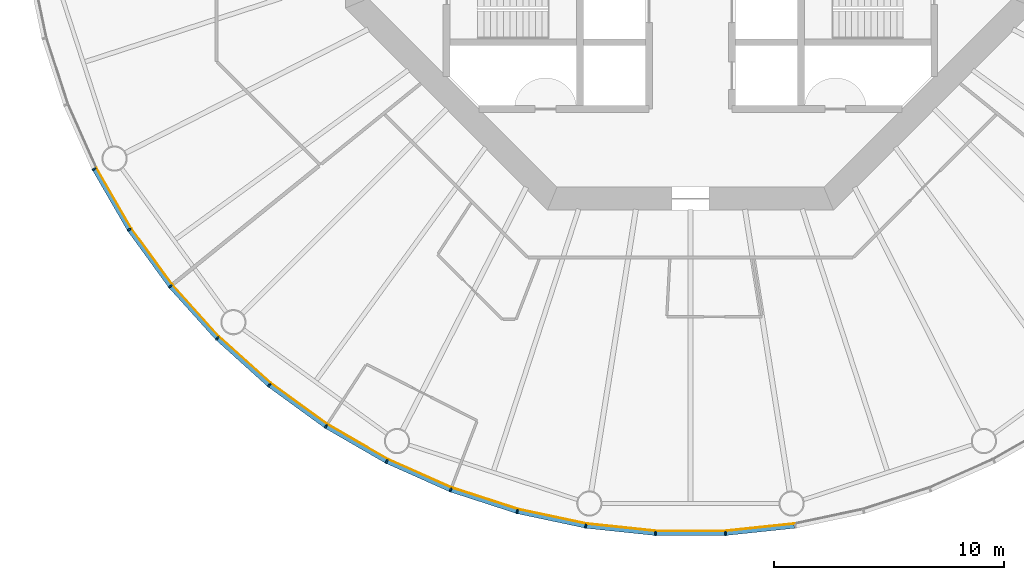
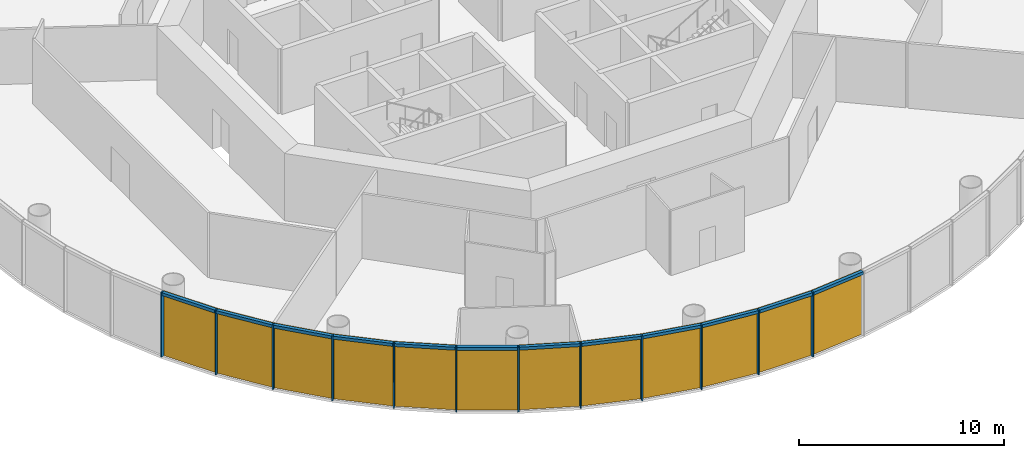
# One storey, part 6 of 12: 24 members, 4 curtain walls.
"""IFC4 building model written with IfcOpenShell, lengths in metres."""

from ifc_helpers import new_model, si_unit, direction, frame, origin, origin_2d, place, context, subcontext, project, spatial, polyline, rectangle, outline, extrude, material, layer, layer_set, material_profile, profile_set, type_object, element, aggregate, save


model = new_model("IFC4")

# Units and contexts
model_context = context("Model", 3, precision=1e-05, world=origin(), true_north=direction((0.0, 1.0)))
body_context = subcontext(model_context, "Body", "Model", "MODEL_VIEW")
ifc_project = project(units=[si_unit("LENGTHUNIT", "METRE"), si_unit("AREAUNIT", "SQUARE_METRE"), si_unit("VOLUMEUNIT", "CUBIC_METRE"), si_unit("PLANEANGLEUNIT", "RADIAN"), si_unit("MASSUNIT", "GRAM", prefix="KILO")], contexts=[model_context])

# Member
ifc_material_1 = material(Name="Anodised aluminium", Category="aluminium")
ifc_material_profile_1 = material_profile(ifc_material_1, rectangle(XDim=0.06494140625, YDim=0.18505859375, at=origin_2d()), Name="Mullion 65 x 185 mm anodised aluminium")
ifc_profile_set_1 = profile_set([ifc_material_profile_1], Name="Anodised aluminium")
member_type_1 = type_object("IfcMemberType", Name="Mullion 65 x 185 mm anodised aluminium", PredefinedType="MULLION", material=ifc_profile_set_1)
site_placement = place(None, origin())
building_placement = place(site_placement, origin())
storey_placement = place(building_placement, frame((0.0, 0.0, 192.0)))
member_1_placement = place(storey_placement, frame((64.078369140625, 66.792236328125, 0.0), z_axis=(0.0, 0.0, 1.0), x_axis=(0.45399049974, -0.891006524188, 0.0)))
member_1 = element("IfcMember", 1, at=member_1_placement, type_object=member_type_1, Name="MULLION L44-33", PredefinedType="MULLION", context=body_context, shape_type="SweptSolid", body=[
    extrude(rectangle(XDim=0.06494140625, YDim=0.18505859375, at=origin_2d()), origin(), (0.0, 0.0, 1.0), 3.85009765625),
])

member_2_placement = place(storey_placement, frame((65.60107421875, 64.155029296875, 0.0), z_axis=(0.0, 0.0, 1.0), x_axis=(0.544639035015, -0.838670567945, 0.0)))
member_2 = element("IfcMember", 2, at=member_2_placement, type_object=member_type_1, Name="MULLION L44-34", PredefinedType="MULLION", context=body_context, shape_type="SweptSolid", body=[
    extrude(rectangle(XDim=0.06494140625, YDim=0.18505859375, at=origin_2d()), origin(), (0.0, 0.0, 1.0), 3.85009765625),
])

member_3_placement = place(storey_placement, frame((67.390869140625, 61.69140625, 0.0), z_axis=(0.0, 0.0, 1.0), x_axis=(0.62932039105, -0.777145961457, 0.0)))
member_3 = element("IfcMember", 3, at=member_3_placement, type_object=member_type_1, Name="MULLION L44-35", PredefinedType="MULLION", context=body_context, shape_type="SweptSolid", body=[
    extrude(rectangle(XDim=0.06494140625, YDim=0.18505859375, at=origin_2d()), origin(), (0.0, 0.0, 1.0), 3.85009765625),
])

member_4_placement = place(storey_placement, frame((69.428466796875, 59.428466796875, 0.0), z_axis=(0.0, 0.0, 1.0), x_axis=(0.707106781187, -0.707106781187, 0.0)))
member_4 = element("IfcMember", 4, at=member_4_placement, type_object=member_type_1, Name="MULLION L44-36", PredefinedType="MULLION", context=body_context, shape_type="SweptSolid", body=[
    extrude(rectangle(XDim=0.06494140625, YDim=0.18505859375, at=origin_2d()), origin(), (0.0, 0.0, 1.0), 3.85009765625),
])

member_5_placement = place(storey_placement, frame((71.69140625, 57.390869140625, 0.0), z_axis=(0.0, 0.0, 1.0), x_axis=(0.777145961457, -0.62932039105, 0.0)))
member_5 = element("IfcMember", 5, at=member_5_placement, type_object=member_type_1, Name="MULLION L44-37", PredefinedType="MULLION", context=body_context, shape_type="SweptSolid", body=[
    extrude(rectangle(XDim=0.06494140625, YDim=0.18505859375, at=origin_2d()), origin(), (0.0, 0.0, 1.0), 3.85009765625),
])

member_6_placement = place(storey_placement, frame((74.155029296875, 55.60107421875, 0.0), z_axis=(0.0, 0.0, 1.0), x_axis=(0.838670567945, -0.544639035015, 0.0)))
member_6 = element("IfcMember", 6, at=member_6_placement, type_object=member_type_1, Name="MULLION L44-38", PredefinedType="MULLION", context=body_context, shape_type="SweptSolid", body=[
    extrude(rectangle(XDim=0.06494140625, YDim=0.18505859375, at=origin_2d()), origin(), (0.0, 0.0, 1.0), 3.85009765625),
])

member_7_placement = place(storey_placement, frame((76.792236328125, 54.078369140625, 0.0), z_axis=(0.0, 0.0, 1.0), x_axis=(0.891006524188, -0.45399049974, 0.0)))
member_7 = element("IfcMember", 7, at=member_7_placement, type_object=member_type_1, Name="MULLION L44-39", PredefinedType="MULLION", context=body_context, shape_type="SweptSolid", body=[
    extrude(rectangle(XDim=0.06494140625, YDim=0.18505859375, at=origin_2d()), origin(), (0.0, 0.0, 1.0), 3.85009765625),
])

member_8_placement = place(storey_placement, frame((79.57421875, 52.83984375, 0.0), z_axis=(0.0, 0.0, 1.0), x_axis=(0.933580426497, -0.358367949545, 0.0)))
member_8 = element("IfcMember", 8, at=member_8_placement, type_object=member_type_1, Name="MULLION L44-40", PredefinedType="MULLION", context=body_context, shape_type="SweptSolid", body=[
    extrude(rectangle(XDim=0.06494140625, YDim=0.18505859375, at=origin_2d()), origin(), (0.0, 0.0, 1.0), 3.85009765625),
])

member_9_placement = place(storey_placement, frame((82.47021484375, 51.898681640625, 0.0), z_axis=(0.0, 0.0, 1.0), x_axis=(0.965925826289, -0.258819045103, 0.0)))
member_9 = element("IfcMember", 9, at=member_9_placement, type_object=member_type_1, Name="MULLION L44-41", PredefinedType="MULLION", context=body_context, shape_type="SweptSolid", body=[
    extrude(rectangle(XDim=0.06494140625, YDim=0.18505859375, at=origin_2d()), origin(), (0.0, 0.0, 1.0), 3.85009765625),
])

member_10_placement = place(storey_placement, frame((85.448974609375, 51.265625, 0.0), z_axis=(0.0, 0.0, 1.0), x_axis=(0.987688340595, -0.15643446504, 0.0)))
member_10 = element("IfcMember", 10, at=member_10_placement, type_object=member_type_1, Name="MULLION L44-42", PredefinedType="MULLION", context=body_context, shape_type="SweptSolid", body=[
    extrude(rectangle(XDim=0.06494140625, YDim=0.18505859375, at=origin_2d()), origin(), (0.0, 0.0, 1.0), 3.85009765625),
])

member_11_placement = place(storey_placement, frame((88.477294921875, 50.947265625, 0.0), z_axis=(0.0, 0.0, 1.0), x_axis=(0.998629534755, -0.052335956243, 0.0)))
member_11 = element("IfcMember", 11, at=member_11_placement, type_object=member_type_1, Name="MULLION L44-43", PredefinedType="MULLION", context=body_context, shape_type="SweptSolid", body=[
    extrude(rectangle(XDim=0.06494140625, YDim=0.18505859375, at=origin_2d()), origin(), (0.0, 0.0, 1.0), 3.85009765625),
])

member_12_placement = place(storey_placement, frame((91.522705078125, 50.947265625, 0.0), z_axis=(0.0, 0.0, 1.0), x_axis=(0.998629534755, 0.052335956243, 0.0)))
member_12 = element("IfcMember", 12, at=member_12_placement, type_object=member_type_1, Name="MULLION L44-44", PredefinedType="MULLION", context=body_context, shape_type="SweptSolid", body=[
    extrude(rectangle(XDim=0.06494140625, YDim=0.18505859375, at=origin_2d()), origin(), (0.0, 0.0, 1.0), 3.85009765625),
])

ifc_material_2 = material(Name="Anodised aluminium", Category="aluminium")
ifc_material_profile_2 = material_profile(ifc_material_2, rectangle(XDim=0.18505859375, YDim=0.175048828125, at=origin_2d()), Name="Transom 175 x 185 mm anodised aluminium")
ifc_profile_set_2 = profile_set([ifc_material_profile_2], Name="Anodised aluminium")
member_type_2 = type_object("IfcMemberType", Name="Transom 175 x 185 mm anodised aluminium", PredefinedType="USERDEFINED", material=ifc_profile_set_2)
member_13_placement = place(storey_placement, frame((64.096923828125, 66.759765625, 3.762451171875), z_axis=(0.500028367561, -0.866009025146, 0.0), x_axis=(0.866009025146, 0.500028367561, 0.0)))
member_13 = element("IfcMember", 13, at=member_13_placement, type_object=member_type_2, Name="TRANSOM L44-33", ObjectType="TRANSOM", PredefinedType="USERDEFINED", context=body_context, shape_type="SweptSolid", body=[
    extrude(rectangle(XDim=0.18505859375, YDim=0.175048828125, at=origin_2d()), origin(), (0.0, 0.0, 1.0), 2.970458984375),
])

member_14_placement = place(storey_placement, frame((65.622802734375, 64.124755859375, 3.762451171875), z_axis=(0.587819781808, -0.808991906087, 0.0), x_axis=(0.808991906087, 0.587819781808, 0.0)))
member_14 = element("IfcMember", 14, at=member_14_placement, type_object=member_type_2, Name="TRANSOM L44-34", ObjectType="TRANSOM", PredefinedType="USERDEFINED", context=body_context, shape_type="SweptSolid", body=[
    extrude(rectangle(XDim=0.18505859375, YDim=0.175048828125, at=origin_2d()), origin(), (0.0, 0.0, 1.0), 2.970458984375),
])

member_15_placement = place(storey_placement, frame((67.415771484375, 61.66357421875, 3.762451171875), z_axis=(0.669110027395, -0.743163354343, 0.0), x_axis=(0.743163354343, 0.669110027395, 0.0)))
member_15 = element("IfcMember", 15, at=member_15_placement, type_object=member_type_2, Name="TRANSOM L44-35", ObjectType="TRANSOM", PredefinedType="USERDEFINED", context=body_context, shape_type="SweptSolid", body=[
    extrude(rectangle(XDim=0.18505859375, YDim=0.175048828125, at=origin_2d()), origin(), (0.0, 0.0, 1.0), 2.970458984375),
])

member_16_placement = place(storey_placement, frame((69.4560546875, 59.4033203125, 3.762451171875), z_axis=(0.743163354343, -0.669110027395, 0.0), x_axis=(0.669110027395, 0.743163354343, 0.0)))
member_16 = element("IfcMember", 16, at=member_16_placement, type_object=member_type_2, Name="TRANSOM L44-36", ObjectType="TRANSOM", PredefinedType="USERDEFINED", context=body_context, shape_type="SweptSolid", body=[
    extrude(rectangle(XDim=0.18505859375, YDim=0.175048828125, at=origin_2d()), origin(), (0.0, 0.0, 1.0), 2.970458984375),
])

member_17_placement = place(storey_placement, frame((71.7216796875, 57.368896484375, 3.762451171875), z_axis=(0.808991906087, -0.587819781808, 0.0), x_axis=(0.587819781808, 0.808991906087, 0.0)))
member_17 = element("IfcMember", 17, at=member_17_placement, type_object=member_type_2, Name="TRANSOM L44-37", ObjectType="TRANSOM", PredefinedType="USERDEFINED", context=body_context, shape_type="SweptSolid", body=[
    extrude(rectangle(XDim=0.18505859375, YDim=0.175048828125, at=origin_2d()), origin(), (0.0, 0.0, 1.0), 2.970458984375),
])

member_18_placement = place(storey_placement, frame((74.187255859375, 55.582275390625, 3.762451171875), z_axis=(0.866009025146, -0.500028367561, 0.0), x_axis=(0.500028367561, 0.866009025146, 0.0)))
member_18 = element("IfcMember", 18, at=member_18_placement, type_object=member_type_2, Name="TRANSOM L44-38", ObjectType="TRANSOM", PredefinedType="USERDEFINED", context=body_context, shape_type="SweptSolid", body=[
    extrude(rectangle(XDim=0.18505859375, YDim=0.175048828125, at=origin_2d()), origin(), (0.0, 0.0, 1.0), 2.970458984375),
])

member_19_placement = place(storey_placement, frame((76.826416015625, 54.06298828125, 3.762451171875), z_axis=(0.913567348806, -0.406687471156, 0.0), x_axis=(0.406687471156, 0.913567348806, 0.0)))
member_19 = element("IfcMember", 19, at=member_19_placement, type_object=member_type_2, Name="TRANSOM L44-39", ObjectType="TRANSOM", PredefinedType="USERDEFINED", context=body_context, shape_type="SweptSolid", body=[
    extrude(rectangle(XDim=0.18505859375, YDim=0.175048828125, at=origin_2d()), origin(), (0.0, 0.0, 1.0), 2.970458984375),
])

member_20_placement = place(storey_placement, frame((79.609619140625, 52.828125, 3.762451171875), z_axis=(0.951055809184, -0.30901917063, 0.0), x_axis=(0.30901917063, 0.951055809184, 0.0)))
member_20 = element("IfcMember", 20, at=member_20_placement, type_object=member_type_2, Name="TRANSOM L44-40", ObjectType="TRANSOM", PredefinedType="USERDEFINED", context=body_context, shape_type="SweptSolid", body=[
    extrude(rectangle(XDim=0.18505859375, YDim=0.175048828125, at=origin_2d()), origin(), (0.0, 0.0, 1.0), 2.970703125),
])

member_21_placement = place(storey_placement, frame((82.5068359375, 51.890869140625, 3.762451171875), z_axis=(0.97815822425, -0.207861704825, 0.0), x_axis=(0.207861704825, 0.97815822425, 0.0)))
member_21 = element("IfcMember", 21, at=member_21_placement, type_object=member_type_2, Name="TRANSOM L44-41", ObjectType="TRANSOM", PredefinedType="USERDEFINED", context=body_context, shape_type="SweptSolid", body=[
    extrude(rectangle(XDim=0.18505859375, YDim=0.175048828125, at=origin_2d()), origin(), (0.0, 0.0, 1.0), 2.970458984375),
])

member_22_placement = place(storey_placement, frame((85.486083984375, 51.26171875, 3.762451171875), z_axis=(0.994519855197, -0.104547872381, 0.0), x_axis=(0.104547872381, 0.994519855197, 0.0)))
member_22 = element("IfcMember", 22, at=member_22_placement, type_object=member_type_2, Name="TRANSOM L44-42", ObjectType="TRANSOM", PredefinedType="USERDEFINED", context=body_context, shape_type="SweptSolid", body=[
    extrude(rectangle(XDim=0.18505859375, YDim=0.175048828125, at=origin_2d()), origin(), (0.0, 0.0, 1.0), 2.970458984375),
])

member_23_placement = place(storey_placement, frame((88.5146484375, 50.947265625, 3.762451171875), z_axis=(1.0, 0.0, 0.0), x_axis=(0.0, 1.0, 0.0)))
member_23 = element("IfcMember", 23, at=member_23_placement, type_object=member_type_2, Name="TRANSOM L44-43", ObjectType="TRANSOM", PredefinedType="USERDEFINED", context=body_context, shape_type="SweptSolid", body=[
    extrude(rectangle(XDim=0.18505859375, YDim=0.175048828125, at=origin_2d()), origin(), (0.0, 0.0, 1.0), 2.970703125),
])

member_24_placement = place(storey_placement, frame((91.559814453125, 50.951171875, 3.762451171875), z_axis=(0.994519855197, 0.104547872381, 0.0), x_axis=(-0.104547872381, 0.994519855197, 0.0)))
member_24 = element("IfcMember", 24, at=member_24_placement, type_object=member_type_2, Name="TRANSOM L44-44", ObjectType="TRANSOM", PredefinedType="USERDEFINED", context=body_context, shape_type="SweptSolid", body=[
    extrude(rectangle(XDim=0.18505859375, YDim=0.175048828125, at=origin_2d()), origin(), (0.0, 0.0, 1.0), 2.970458984375),
])

# Site, building, storey
site = spatial("IfcSite", under=ifc_project, at=site_placement, CompositionType="ELEMENT")
building = spatial("IfcBuilding", under=site, at=building_placement, Name="Entoto Ring Tower", CompositionType="ELEMENT")
storey = spatial("IfcBuildingStorey", under=building, at=storey_placement, Name="L44", CompositionType="ELEMENT", Elevation=192.0)

# Curtain wall
ifc_material_3 = material(Name="Clear low-iron glass", Category="glass")
ifc_layer = layer(ifc_material_3, 0.033935546875)
ifc_layer_set = layer_set([ifc_layer], Name="Clear low-iron glass")
curtain_wall_type = type_object("IfcCurtainWallType", Name="Curtain wall system CW3 glazing 34 mm", PredefinedType="NOTDEFINED", material=ifc_layer_set)
curtain_wall_1_placement = place(storey_placement, origin())
curtain_wall_1 = element("IfcCurtainWall", 25, at=curtain_wall_1_placement, inside=storey, type_object=curtain_wall_type, Name="CW3 L44-12", PredefinedType="NOTDEFINED", context=body_context, shape_type="SweptSolid", body=[
    extrude(outline(polyline([(64.160888671875, 66.834228515625), (65.678466796875, 64.20556640625), (67.462646484375, 61.749755859375), (69.493896484375, 59.493896484375), (69.51806640625, 59.51806640625), (67.4892578125, 61.771240234375), (65.70703125, 64.22412109375), (64.191162109375, 66.849853515625), (64.160888671875, 66.834228515625)])), origin(), (0.0, 0.0, 1.0), 3.85009765625),
])

aggregate(curtain_wall_1, [member_1, member_2, member_3, member_13, member_14, member_15])

curtain_wall_2_placement = place(storey_placement, origin())
curtain_wall_2 = element("IfcCurtainWall", 26, at=curtain_wall_2_placement, inside=storey, type_object=curtain_wall_type, Name="CW3 L44-13", PredefinedType="NOTDEFINED", context=body_context, shape_type="SweptSolid", body=[
    extrude(outline(polyline([(69.493896484375, 59.493896484375), (71.749755859375, 57.462646484375), (74.20556640625, 55.678466796875), (76.834228515625, 54.160888671875), (76.849853515625, 54.191162109375), (74.22412109375, 55.70703125), (71.771240234375, 57.4892578125), (69.51806640625, 59.51806640625), (69.493896484375, 59.493896484375)])), origin(), (0.0, 0.0, 1.0), 3.85009765625),
])

aggregate(curtain_wall_2, [member_4, member_5, member_6, member_16, member_17, member_18])

curtain_wall_3_placement = place(storey_placement, origin())
curtain_wall_3 = element("IfcCurtainWall", 27, at=curtain_wall_3_placement, inside=storey, type_object=curtain_wall_type, Name="CW3 L44-14", PredefinedType="NOTDEFINED", context=body_context, shape_type="SweptSolid", body=[
    extrude(outline(polyline([(76.834228515625, 54.160888671875), (79.607421875, 52.92626953125), (82.494140625, 51.988037109375), (85.46337890625, 51.35693359375), (85.46875, 51.390625), (82.503173828125, 52.02099609375), (79.61962890625, 52.9580078125), (76.849853515625, 54.191162109375), (76.834228515625, 54.160888671875)])), origin(), (0.0, 0.0, 1.0), 3.85009765625),
])

aggregate(curtain_wall_3, [member_7, member_8, member_9, member_19, member_20, member_21])

curtain_wall_4_placement = place(storey_placement, origin())
curtain_wall_4 = element("IfcCurtainWall", 28, at=curtain_wall_4_placement, inside=storey, type_object=curtain_wall_type, Name="CW3 L44-15", PredefinedType="NOTDEFINED", context=body_context, shape_type="SweptSolid", body=[
    extrude(outline(polyline([(85.46337890625, 51.35693359375), (88.482177734375, 51.039794921875), (91.517822265625, 51.039794921875), (94.53662109375, 51.35693359375), (94.53125, 51.390625), (91.515869140625, 51.07373046875), (88.484130859375, 51.07373046875), (85.46875, 51.390625), (85.46337890625, 51.35693359375)])), origin(), (0.0, 0.0, 1.0), 3.85009765625),
])

aggregate(curtain_wall_4, [member_10, member_11, member_12, member_22, member_23, member_24])

save(model, "model.ifc")
